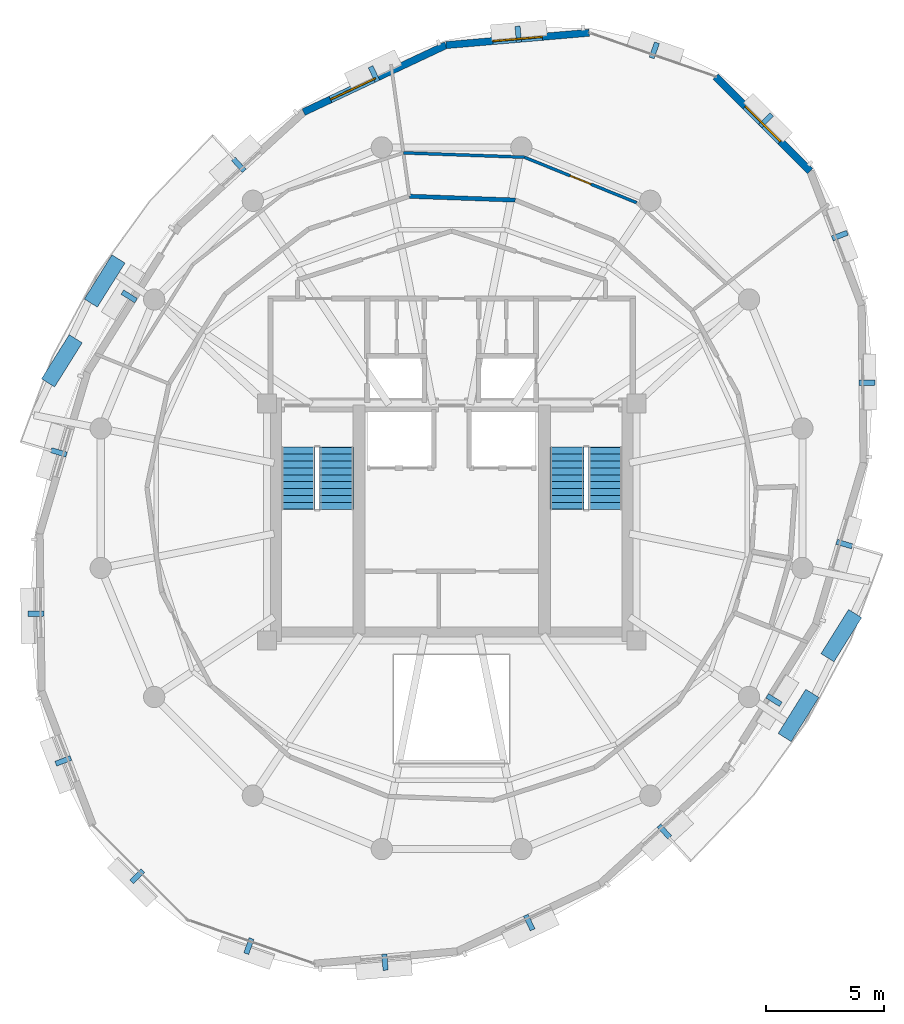
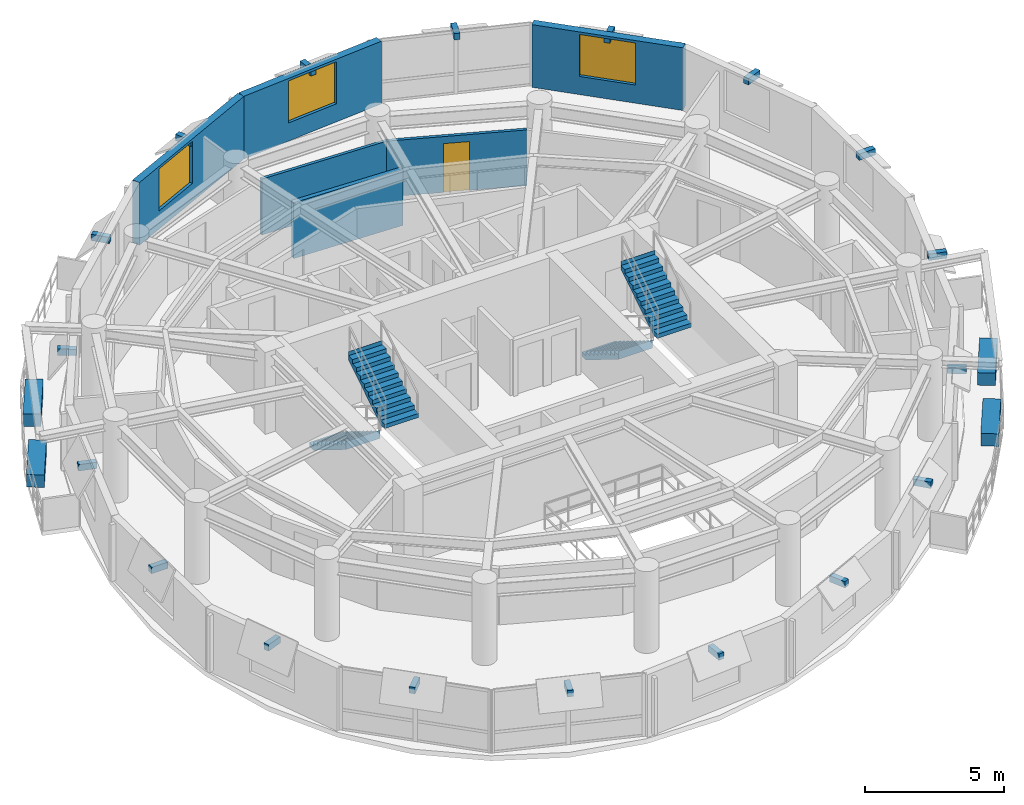
# One storey, part 9 of 11: 22 discrete accessories, 6 walls, 4 stair flights, 3 windows, 1 door, 4 openings, 2 elements without a shape of their own.
"""IFC4 building model written with IfcOpenShell, lengths in metres."""

from ifc_helpers import new_model, si_unit, direction, frame, frame_2d, origin, origin_2d, place, context, subcontext, project, spatial, polyline, rectangle, outline, extrude, material, layer, layer_set, type_object, element, fill, aggregate, save


model = new_model("IFC4")

# Units and contexts
model_context = context("Model", 3, precision=1e-05, world=origin(), true_north=direction((0.0, 1.0)))
body_context = subcontext(model_context, "Body", "Model", "MODEL_VIEW")
ifc_project = project(units=[si_unit("LENGTHUNIT", "METRE"), si_unit("AREAUNIT", "SQUARE_METRE"), si_unit("VOLUMEUNIT", "CUBIC_METRE"), si_unit("PLANEANGLEUNIT", "RADIAN"), si_unit("MASSUNIT", "GRAM", prefix="KILO"), si_unit("THERMODYNAMICTEMPERATUREUNIT", "KELVIN"), si_unit("POWERUNIT", "WATT")], contexts=[model_context])

# Site, building, storey
site_placement = place(None, origin())
site = spatial("IfcSite", under=ifc_project, at=site_placement, CompositionType="ELEMENT")
building_placement = place(site_placement, origin())
building = spatial("IfcBuilding", under=site, at=building_placement, Name="Ocrelia Relay Tower", CompositionType="ELEMENT")
storey_placement = place(building_placement, frame((0.0, 0.0, 270.0)))
storey = spatial("IfcBuildingStorey", under=building, at=storey_placement, Name="L67", CompositionType="ELEMENT", Elevation=270.0)

# Wall
ifc_material_1 = material(Name="Gypsum Fireboard Partition EI60", Category="gypsum")
ifc_layer_1 = layer(ifc_material_1, 0.179931640625, Name="Gypsum Fireboard Partition EI60")
ifc_layer_set_1 = layer_set([ifc_layer_1], Name="Gypsum Fireboard Partition EI60")
wall_type_1 = type_object("IfcWallType", Name="W-CORR-EI60-180", PredefinedType="PARTITIONING", material=ifc_layer_set_1)
wall_1_placement = place(storey_placement, frame((36.686767578125, 38.58642578125, 0.0), z_axis=(0.0, 0.0, 1.0), x_axis=(-0.999359789069, 0.035777255238, 0.0)))
element("IfcWall", 1, at=wall_1_placement, inside=storey, type_object=wall_type_1, Name="L67 Spectrum Metrology Lab Corridor Partition 3", PredefinedType="PARTITIONING", context=body_context, shape_type="SweptSolid", body=[
    extrude(rectangle(XDim=4.4697265625, YDim=0.179931640625, at=frame_2d((2.23486328125, 0.0))), origin(), (0.0, 0.0, 1.0), 2.4599609375),
])

# Wall, opening, window
ifc_material_2 = material(Name="Precast concrete C40/50 with oxide terracotta", Category="masonry")
ifc_layer_2 = layer(ifc_material_2, 0.300048828125, Name="Precast concrete C40/50 with oxide terracotta")
ifc_layer_set_2 = layer_set([ifc_layer_2], Name="Precast concrete C40/50 with oxide terracotta")
wall_type_2 = type_object("IfcWallType", Name="W-EXT-TERR-300", PredefinedType="SOLIDWALL", material=ifc_layer_set_2)
wall_2_placement = place(storey_placement, frame((39.804443359375, 45.64794921875, 0.0), z_axis=(0.0, 0.0, 1.0), x_axis=(-0.996296147919, -0.08598828782, 0.0)))
wall_2 = element("IfcWall", 2, at=wall_2_placement, inside=storey, type_object=wall_type_2, Name="L67 Oxide Terracotta Facade Wall 02", PredefinedType="SOLIDWALL", context=body_context, shape_type="SweptSolid", body=[
    extrude(rectangle(XDim=6.061767578125, YDim=0.300048828125, at=frame_2d((3.03076171875, 0.0))), origin(), (0.0, 0.0, 1.0), 2.760009765625),
])
opening_1_placement = place(wall_2_placement, frame((1.98095703125, 0.0, 0.800048828125)))
opening_1 = element("IfcOpeningElement", 3, at=opening_1_placement, cuts=wall_2, Name="Opening W-07", PredefinedType="OPENING", context=body_context, shape_type="SweptSolid", body=[
    extrude(rectangle(XDim=2.10009765625, YDim=1.85009765625, at=frame_2d((1.050048828125, 0.925048828125))), frame((0.0, 0.16015625, 0.0), z_axis=(0.0, -1.0, 0.0), x_axis=(1.0, 0.0, 0.0)), (0.0, 0.0, 1.0), 0.320068359375),
])
ifc_material_3 = material(Name="Clear double-glazed low-E glass", Category="glass")
window_type = type_object("IfcWindowType", Name="WIN-Z4-2100x2200", PartitioningType="DOUBLE_PANEL_VERTICAL", PredefinedType="WINDOW", material=ifc_material_3)
window_1_placement = place(opening_1_placement, origin())
window_1 = element("IfcWindow", 4, at=window_1_placement, inside=storey, type_object=window_type, Name="L67 Facade Module Window 02", OverallHeight=1.85009765625, OverallWidth=2.10009765625, PartitioningType="SINGLE_PANEL", PredefinedType="WINDOW", context=body_context, shape_type="SweptSolid", body=[
    extrude(rectangle(XDim=2.10009765625, YDim=1.85009765625, at=frame_2d((1.050048828125, 0.925048828125))), frame((0.0, 0.030029296875, 0.0), z_axis=(0.0, -1.0, 0.0), x_axis=(1.0, 0.0, 0.0)), (0.0, 0.0, 1.0), 0.06005859375),
])
fill(opening_1, window_1)

wall_3_placement = place(storey_placement, frame((33.76513671875, 45.126708984375, 0.0), z_axis=(0.0, 0.0, 1.0), x_axis=(-0.904858675558, -0.425712082595, 0.0)))
wall_3 = element("IfcWall", 5, at=wall_3_placement, inside=storey, type_object=wall_type_2, Name="L67 Oxide Terracotta Facade Wall 03", PredefinedType="SOLIDWALL", context=body_context, shape_type="SweptSolid", body=[
    extrude(rectangle(XDim=6.643310546875, YDim=0.300048828125, at=frame_2d((3.32177734375, 0.0))), origin(), (0.0, 0.0, 1.0), 2.760009765625),
])
opening_2_placement = place(wall_3_placement, frame((3.2919921875, 0.0, 0.800048828125)))
opening_2 = element("IfcOpeningElement", 6, at=opening_2_placement, cuts=wall_3, Name="Opening W-07", PredefinedType="OPENING", context=body_context, shape_type="SweptSolid", body=[
    extrude(rectangle(XDim=2.10009765625, YDim=1.85009765625, at=frame_2d((1.050048828125, 0.925048828125))), frame((0.0, 0.16015625, 0.0), z_axis=(0.0, -1.0, 0.0), x_axis=(1.0, 0.0, 0.0)), (0.0, 0.0, 1.0), 0.320068359375),
])
window_2_placement = place(opening_2_placement, origin())
window_2 = element("IfcWindow", 7, at=window_2_placement, inside=storey, type_object=window_type, Name="L67 Facade Module Window 03", OverallHeight=1.85009765625, OverallWidth=2.10009765625, PartitioningType="SINGLE_PANEL", PredefinedType="WINDOW", context=body_context, shape_type="SweptSolid", body=[
    extrude(rectangle(XDim=2.10009765625, YDim=1.85009765625, at=frame_2d((1.050048828125, 0.925048828125))), frame((0.0, 0.030029296875, 0.0), z_axis=(0.0, -1.0, 0.0), x_axis=(1.0, 0.0, 0.0)), (0.0, 0.0, 1.0), 0.06005859375),
])
fill(opening_2, window_2)

wall_4_placement = place(storey_placement, frame((49.138916015625, 39.8037109375, 0.0), z_axis=(0.0, 0.0, 1.0), x_axis=(-0.707063571386, 0.707149988347, 0.0)))
wall_4 = element("IfcWall", 8, at=wall_4_placement, inside=storey, type_object=wall_type_2, Name="L67 Oxide Terracotta Facade Wall 18", PredefinedType="SOLIDWALL", context=body_context, shape_type="SweptSolid", body=[
    extrude(rectangle(XDim=5.650390625, YDim=0.300048828125, at=frame_2d((2.8251953125, 0.0))), origin(), (0.0, 0.0, 1.0), 2.760009765625),
])
opening_3_placement = place(wall_4_placement, frame((1.77490234375, 0.0, 0.800048828125)))
opening_3 = element("IfcOpeningElement", 9, at=opening_3_placement, cuts=wall_4, Name="Opening W-07", PredefinedType="OPENING", context=body_context, shape_type="SweptSolid", body=[
    extrude(rectangle(XDim=2.10009765625, YDim=1.85009765625, at=frame_2d((1.050048828125, 0.925048828125))), frame((0.0, 0.16015625, 0.0), z_axis=(0.0, -1.0, 0.0), x_axis=(1.0, 0.0, 0.0)), (0.0, 0.0, 1.0), 0.320068359375),
])
window_3_placement = place(opening_3_placement, origin())
window_3 = element("IfcWindow", 10, at=window_3_placement, inside=storey, type_object=window_type, Name="L67 Facade Module Window 18", OverallHeight=1.85009765625, OverallWidth=2.10009765625, PartitioningType="SINGLE_PANEL", PredefinedType="WINDOW", context=body_context, shape_type="SweptSolid", body=[
    extrude(rectangle(XDim=2.10009765625, YDim=1.85009765625, at=frame_2d((1.050048828125, 0.925048828125))), frame((0.0, 0.030029296875, 0.0), z_axis=(0.0, -1.0, 0.0), x_axis=(1.0, 0.0, 0.0)), (0.0, 0.0, 1.0), 0.06005859375),
])
fill(opening_3, window_3)

# Wall, opening, door
ifc_material_4 = material(Name="Acoustic Fireboard Partition EI60", Category="gypsum")
ifc_layer_3 = layer(ifc_material_4, 0.125, Name="Acoustic Fireboard Partition EI60")
ifc_layer_set_3 = layer_set([ifc_layer_3], Name="Acoustic Fireboard Partition EI60")
wall_type_3 = type_object("IfcWallType", Name="W-PART-125", PredefinedType="PARTITIONING", material=ifc_layer_set_3)
wall_5_placement = place(storey_placement, frame((41.811279296875, 38.4765625, 0.0), z_axis=(0.0, 0.0, 1.0), x_axis=(-0.926857415115, 0.375413548033, 0.0)))
wall_5 = element("IfcWall", 11, at=wall_5_placement, inside=storey, type_object=wall_type_3, Name="L67 Perimeter Spectrum Metrology Lab Mid-Ring Partition 2", PredefinedType="PARTITIONING", context=body_context, shape_type="SweptSolid", body=[
    extrude(rectangle(XDim=5.1123046875, YDim=0.125, at=frame_2d((2.55615234375, 0.0))), origin(), (0.0, 0.0, 1.0), 2.4599609375),
])
opening_4_placement = place(wall_5_placement, frame((2.0810546875, 0.0, 0.0)))
opening_4 = element("IfcOpeningElement", 12, at=opening_4_placement, cuts=wall_5, Name="Opening D-RM95", PredefinedType="OPENING", context=body_context, shape_type="SweptSolid", body=[
    extrude(rectangle(XDim=0.949951171875, YDim=2.14990234375, at=frame_2d((0.47509765625, 1.074951171875))), frame((0.0, 0.072509765625, 0.0), z_axis=(0.0, -1.0, 0.0), x_axis=(1.0, 0.0, 0.0)), (0.0, 0.0, 1.0), 0.14501953125),
])
ifc_material_5 = material(Name="Acoustic oak veneer fire door", Category="wood")
door_type = type_object("IfcDoorType", Name="DR-ROOM-950", OperationType="NOTDEFINED", PredefinedType="DOOR", material=ifc_material_5)
door_placement = place(opening_4_placement, origin())
door = element("IfcDoor", 13, at=door_placement, inside=storey, type_object=door_type, Name="L67 Perimeter Spectrum Metrology Lab Connecting Door", OperationType="SINGLE_SWING_RIGHT", OverallHeight=2.14990234375, OverallWidth=0.949951171875, PredefinedType="DOOR", context=body_context, shape_type="SweptSolid", body=[
    extrude(rectangle(XDim=0.949951171875, YDim=2.14990234375, at=frame_2d((0.47509765625, 1.074951171875))), frame((0.0, 0.02490234375, 0.0), z_axis=(0.0, -1.0, 0.0), x_axis=(1.0, 0.0, 0.0)), (0.0, 0.0, 1.0), 0.050048828125),
])
fill(opening_4, door)

# Wall
wall_6_placement = place(storey_placement, frame((37.072998046875, 40.395751953125, 0.0), z_axis=(0.0, 0.0, 1.0), x_axis=(-0.999360052784, 0.035769888155, 0.0)))
element("IfcWall", 14, at=wall_6_placement, inside=storey, type_object=wall_type_3, Name="L67 Perimeter Spectrum Metrology Lab Mid-Ring Partition 3", PredefinedType="PARTITIONING", context=body_context, shape_type="SweptSolid", body=[
    extrude(rectangle(XDim=5.112060546875, YDim=0.125, at=frame_2d((2.55615234375, 0.0))), origin(), (0.0, 0.0, 1.0), 2.4599609375),
])

# Stair, stair flights
ifc_material_6 = material(Name="Concrete C50/60", Category="concrete")
stair_type = type_object("IfcStairType", Name="ST-DL-1420-R180", PredefinedType="HALF_TURN_STAIR", material=ifc_material_6)
stair_1_placement = place(storey_placement, origin())
stair_1 = element("IfcStair", 15, at=stair_1_placement, inside=storey, type_object=stair_type, Name="L67 West Core Exit Stair ST1", PredefinedType="HALF_TURN_STAIR")
stair_flight_type = type_object("IfcStairFlightType", Name="STF-DL-1420-R180", PredefinedType="STRAIGHT", material=ifc_material_6)
stair_flight_1_placement = place(storey_placement, frame((27.52001953125, 28.14990234375, 0.0), z_axis=(0.0, 0.0, 1.0), x_axis=(0.0, -1.0, 0.0)))
stair_flight_1 = element("IfcStairFlight", 16, at=stair_flight_1_placement, type_object=stair_flight_type, Name="ST1 flight 1", NumberOfRisers=10, NumberOfTreads=9, PredefinedType="STRAIGHT", RiserHeight=0.18, TreadLength=0.29, context=body_context, shape_type="SweptSolid", body=[
    extrude(outline(polyline([(-0.008056640625, 0.0), (-0.008056640625, 0.179931640625), (0.0, 0.179931640625), (0.2900390625, 0.179931640625), (0.2900390625, 0.360107421875), (0.580078125, 0.360107421875), (0.580078125, 0.5400390625), (0.8701171875, 0.5400390625), (0.8701171875, 0.719970703125), (1.159912109375, 0.719970703125), (1.159912109375, 0.89990234375), (1.449951171875, 0.89990234375), (1.449951171875, 1.080078125), (1.739990234375, 1.080078125), (1.739990234375, 1.260009765625), (2.030029296875, 1.260009765625), (2.030029296875, 1.43994140625), (2.320068359375, 1.43994140625), (2.320068359375, 1.6201171875), (2.610107421875, 1.6201171875), (2.610107421875, 1.800048828125), (2.617919921875, 1.800048828125), (2.617919921875, 1.443603515625), (0.2841796875, 0.0), (-0.008056640625, 0.0)])), frame((0.0, 0.7099609375, 0.0), z_axis=(0.0, -1.0, 0.0), x_axis=(1.0, 0.0, 0.0)), (0.0, 0.0, 1.0), 1.419921875),
])
stair_flight_2_placement = place(storey_placement, frame((29.139892578125, 25.5400390625, 1.800048828125), z_axis=(0.0, 0.0, 1.0), x_axis=(0.0, 1.0, 0.0)))
stair_flight_2 = element("IfcStairFlight", 17, at=stair_flight_2_placement, type_object=stair_flight_type, Name="ST1 flight 2", NumberOfRisers=10, NumberOfTreads=9, PredefinedType="STRAIGHT", RiserHeight=0.18, TreadLength=0.29, context=body_context, shape_type="SweptSolid", body=[
    extrude(outline(polyline([(-0.008056640625, 0.0), (-0.008056640625, 0.179931640625), (0.0, 0.179931640625), (0.2900390625, 0.179931640625), (0.2900390625, 0.360107421875), (0.580078125, 0.360107421875), (0.580078125, 0.5400390625), (0.8701171875, 0.5400390625), (0.8701171875, 0.719970703125), (1.159912109375, 0.719970703125), (1.159912109375, 0.89990234375), (1.449951171875, 0.89990234375), (1.449951171875, 1.080078125), (1.739990234375, 1.080078125), (1.739990234375, 1.260009765625), (2.030029296875, 1.260009765625), (2.030029296875, 1.43994140625), (2.320068359375, 1.43994140625), (2.320068359375, 1.6201171875), (2.610107421875, 1.6201171875), (2.610107421875, 1.800048828125), (2.617919921875, 1.800048828125), (2.617919921875, 1.443603515625), (0.2841796875, 0.0), (-0.008056640625, 0.0)])), frame((0.0, 0.7099609375, 0.0), z_axis=(0.0, -1.0, 0.0), x_axis=(1.0, 0.0, 0.0)), (0.0, 0.0, 1.0), 1.419921875),
])
aggregate(stair_1, [stair_flight_1, stair_flight_2])

stair_2_placement = place(storey_placement, origin())
stair_2 = element("IfcStair", 18, at=stair_2_placement, inside=storey, type_object=stair_type, Name="L67 East Core Exit Stair ST2", PredefinedType="HALF_TURN_STAIR")
stair_flight_3_placement = place(storey_placement, frame((38.8701171875, 28.14990234375, 0.0), z_axis=(0.0, 0.0, 1.0), x_axis=(0.0, -1.0, 0.0)))
stair_flight_3 = element("IfcStairFlight", 19, at=stair_flight_3_placement, type_object=stair_flight_type, Name="ST2 flight 1", NumberOfRisers=10, NumberOfTreads=9, PredefinedType="STRAIGHT", RiserHeight=0.18, TreadLength=0.29, context=body_context, shape_type="SweptSolid", body=[
    extrude(outline(polyline([(-0.008056640625, 0.0), (-0.008056640625, 0.179931640625), (0.0, 0.179931640625), (0.2900390625, 0.179931640625), (0.2900390625, 0.360107421875), (0.580078125, 0.360107421875), (0.580078125, 0.5400390625), (0.8701171875, 0.5400390625), (0.8701171875, 0.719970703125), (1.159912109375, 0.719970703125), (1.159912109375, 0.89990234375), (1.449951171875, 0.89990234375), (1.449951171875, 1.080078125), (1.739990234375, 1.080078125), (1.739990234375, 1.260009765625), (2.030029296875, 1.260009765625), (2.030029296875, 1.43994140625), (2.320068359375, 1.43994140625), (2.320068359375, 1.6201171875), (2.610107421875, 1.6201171875), (2.610107421875, 1.800048828125), (2.617919921875, 1.800048828125), (2.617919921875, 1.443603515625), (0.2841796875, 0.0), (-0.008056640625, 0.0)])), frame((0.0, 0.7099609375, 0.0), z_axis=(0.0, -1.0, 0.0), x_axis=(1.0, 0.0, 0.0)), (0.0, 0.0, 1.0), 1.419921875),
])
stair_flight_4_placement = place(storey_placement, frame((40.489990234375, 25.5400390625, 1.800048828125), z_axis=(0.0, 0.0, 1.0), x_axis=(0.0, 1.0, 0.0)))
stair_flight_4 = element("IfcStairFlight", 20, at=stair_flight_4_placement, type_object=stair_flight_type, Name="ST2 flight 2", NumberOfRisers=10, NumberOfTreads=9, PredefinedType="STRAIGHT", RiserHeight=0.18, TreadLength=0.29, context=body_context, shape_type="SweptSolid", body=[
    extrude(outline(polyline([(-0.008056640625, 0.0), (-0.008056640625, 0.179931640625), (0.0, 0.179931640625), (0.2900390625, 0.179931640625), (0.2900390625, 0.360107421875), (0.580078125, 0.360107421875), (0.580078125, 0.5400390625), (0.8701171875, 0.5400390625), (0.8701171875, 0.719970703125), (1.159912109375, 0.719970703125), (1.159912109375, 0.89990234375), (1.449951171875, 0.89990234375), (1.449951171875, 1.080078125), (1.739990234375, 1.080078125), (1.739990234375, 1.260009765625), (2.030029296875, 1.260009765625), (2.030029296875, 1.43994140625), (2.320068359375, 1.43994140625), (2.320068359375, 1.6201171875), (2.610107421875, 1.6201171875), (2.610107421875, 1.800048828125), (2.617919921875, 1.800048828125), (2.617919921875, 1.443603515625), (0.2841796875, 0.0), (-0.008056640625, 0.0)])), frame((0.0, 0.7099609375, 0.0), z_axis=(0.0, -1.0, 0.0), x_axis=(1.0, 0.0, 0.0)), (0.0, 0.0, 1.0), 1.419921875),
])
aggregate(stair_2, [stair_flight_3, stair_flight_4])

# Discrete accessories
ifc_material_7 = material(Name="Precast concrete C40/50 planter with highland greenery", Category="concrete")
discrete_accessory_type_1 = type_object("IfcDiscreteAccessoryType", Name="ACC-BALC-PLANTER", PredefinedType="USERDEFINED", material=ifc_material_7)
for number, where, z_axis, x_axis, name in (
    (21, (19.35595703125, 35.16845703125, 0.0), (0.0, 0.0, 1.0), (0.530652083278, 0.847589739504, 0.0), "L67 Balcony Terracotta Planter with Greenery B1"),
    (22, (17.5498046875, 31.80029296875, 0.0), (0.0, 0.0, 1.0), (0.530652083278, 0.847589739504, 0.0), "L67 Balcony Terracotta Planter B1-2"),
    (23, (48.64404296875, 16.83154296875, 0.0), (0.0, 0.0, 1.0), (-0.530652083278, -0.847589739504, 0.0), "L67 Balcony Terracotta Planter with Greenery B2"),
    (24, (50.4501953125, 20.19970703125, 0.0), (0.0, 0.0, 1.0), (-0.530652083278, -0.847589739504, 0.0), "L67 Balcony Terracotta Planter B2-2"),
):
    element("IfcDiscreteAccessory", number, at=place(storey_placement, frame(where, z_axis=z_axis, x_axis=x_axis)), inside=storey, type_object=discrete_accessory_type_1, Name=name, ObjectType="PLANTER", PredefinedType="USERDEFINED", context=body_context, shape_type="SweptSolid", body=[
        extrude(rectangle(XDim=2.199951171875, YDim=0.64990234375, at=origin_2d()), origin(), (0.0, 0.0, 1.0), 0.550048828125),
    ])
ifc_material_8 = material(Name="Steel S355", Category="steel")
discrete_accessory_type_2 = type_object("IfcDiscreteAccessoryType", Name="ACC-VISOR-BRACKET", PredefinedType="BRACKET", material=ifc_material_8)
for number, where, z_axis, x_axis, name in (
    (25, (42.556640625, 44.906005859375, 2.4599609375), (0.0, 0.0, 1.0), (-0.944959768573, 0.327186545839, 0.0), "L67 Visor Mounting Bracket 01"),
    (26, (36.813232421875, 45.58544921875, 2.4599609375), (0.0, 0.0, 1.0), (-0.996296830381, -0.085980380164, 0.0), "L67 Visor Mounting Bracket 02"),
    (27, (30.7236328125, 43.909423828125, 2.4599609375), (0.0, 0.0, 1.0), (-0.904850767215, -0.425728891515, 0.0), "L67 Visor Mounting Bracket 03"),
    (28, (25.017578125, 40.0703125, 2.4599609375), (0.0, 0.0, 1.0), (-0.738940820004, -0.673770335152, 0.0), "L67 Visor Mounting Bracket 04"),
    (29, (20.3916015625, 34.52001953125, 2.4599609375), (0.0, 0.0, 1.0), (-0.530659392328, -0.84758516347, 0.0), "L67 Visor Mounting Bracket 05"),
    (30, (17.41943359375, 27.934326171875, 2.4599609375), (0.0, 0.0, 1.0), (-0.283321170294, -0.959025085419, 0.0), "L67 Visor Mounting Bracket 06"),
    (31, (16.458251953125, 21.12451171875, 2.4599609375), (0.0, 0.0, 1.0), (0.012283419714, -0.999924555954, 0.0), "L67 Visor Mounting Bracket 07"),
    (32, (17.610595703125, 14.914306640625, 2.4599609375), (0.0, 0.0, 1.0), (0.357841321918, -0.93378240952, 0.0), "L67 Visor Mounting Bracket 08"),
    (33, (20.730712890625, 10.044677734375, 2.4599609375), (0.0, 0.0, 1.0), (0.707080233327, -0.707133328049, 0.0), "L67 Visor Mounting Bracket 09"),
    (34, (25.443359375, 7.093994140625, 2.4599609375), (0.0, 0.0, 1.0), (0.944959768573, -0.327186545839, 0.0), "L67 Visor Mounting Bracket 10"),
    (35, (31.186767578125, 6.41455078125, 2.4599609375), (0.0, 0.0, 1.0), (0.996296830381, 0.085980380164, 0.0), "L67 Visor Mounting Bracket 11"),
    (36, (37.2763671875, 8.090576171875, 2.4599609375), (0.0, 0.0, 1.0), (0.904850767215, 0.425728891515, 0.0), "L67 Visor Mounting Bracket 12"),
    (37, (42.982421875, 11.9296875, 2.4599609375), (0.0, 0.0, 1.0), (0.738940820004, 0.673770335152, 0.0), "L67 Visor Mounting Bracket 13"),
    (38, (47.6083984375, 17.47998046875, 2.4599609375), (0.0, 0.0, 1.0), (0.530659392328, 0.84758516347, 0.0), "L67 Visor Mounting Bracket 14"),
    (39, (50.58056640625, 24.065673828125, 2.4599609375), (0.0, 0.0, 1.0), (0.283321170294, 0.959025085419, 0.0), "L67 Visor Mounting Bracket 15"),
    (40, (51.541748046875, 30.87548828125, 2.4599609375), (0.0, 0.0, 1.0), (-0.012283419714, 0.999924555954, 0.0), "L67 Visor Mounting Bracket 16"),
    (41, (50.389404296875, 37.085693359375, 2.4599609375), (0.0, 0.0, 1.0), (-0.357841321918, 0.93378240952, 0.0), "L67 Visor Mounting Bracket 17"),
    (42, (47.269287109375, 41.955322265625, 2.4599609375), (0.0, 0.0, 1.0), (-0.707080233327, 0.707133328049, 0.0), "L67 Visor Mounting Bracket 18"),
):
    element("IfcDiscreteAccessory", number, at=place(storey_placement, frame(where, z_axis=z_axis, x_axis=x_axis)), inside=storey, type_object=discrete_accessory_type_2, Name=name, PredefinedType="BRACKET", context=body_context, shape_type="SweptSolid", body=[
        extrude(rectangle(XDim=0.219970703125, YDim=0.679931640625, at=origin_2d()), origin(), (0.0, 0.0, 1.0), 0.280029296875),
    ])

save(model, "model.ifc")
